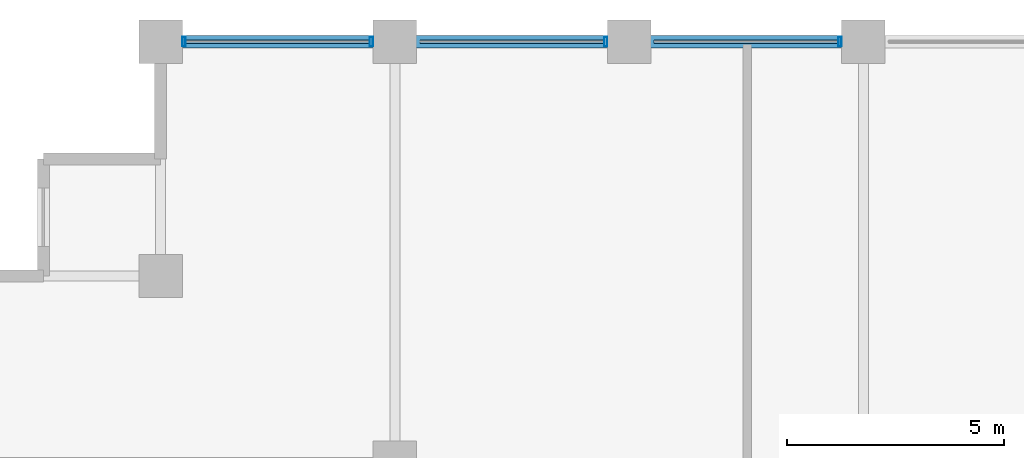
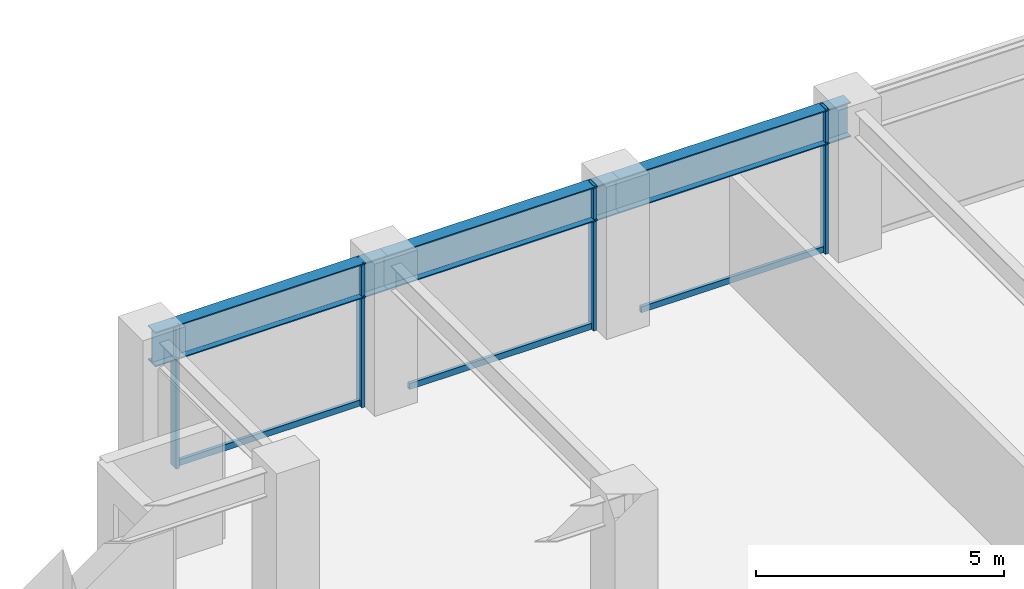
# One storey, part 12 of 25: 7 members, 3 beams, 1 element without a shape of its own.
"""IFC4 building model written with IfcOpenShell, lengths in metres."""

from ifc_helpers import new_model, si_unit, direction, frame, origin, origin_2d, place, context, subcontext, project, spatial, hollow_rectangle, i_section, extrude, material, layer, layer_set, material_profile, profile_set, type_object, element, aggregate, save


model = new_model("IFC4")

# Units and contexts
model_context = context("Model", 3, precision=1e-05, world=origin(), true_north=direction((0.0, 1.0)))
body_context = subcontext(model_context, "Body", "Model", "MODEL_VIEW")
ifc_project = project(units=[si_unit("LENGTHUNIT", "METRE"), si_unit("AREAUNIT", "SQUARE_METRE"), si_unit("VOLUMEUNIT", "CUBIC_METRE"), si_unit("PLANEANGLEUNIT", "RADIAN"), si_unit("MASSUNIT", "GRAM", prefix="KILO")], contexts=[model_context])

# Site, building, storey
site_placement = place(None, origin())
site = spatial("IfcSite", under=ifc_project, at=site_placement, CompositionType="ELEMENT")
building_placement = place(site_placement, origin())
building = spatial("IfcBuilding", under=site, at=building_placement, Name="Surkhivell Harbour Commons", CompositionType="ELEMENT")
storey_placement = place(building_placement, frame((0.0, 0.0, 139.5)))
storey = spatial("IfcBuildingStorey", under=building, at=storey_placement, Name="L36", CompositionType="ELEMENT", Elevation=139.5)

# Beams
ifc_material_1 = material(Name="Steel S460", Category="steel")
ifc_material_profile_1 = material_profile(ifc_material_1, i_section(OverallWidth=0.2939453125, OverallDepth=0.85107421875, WebThickness=0.01611328125, FlangeThickness=0.02685546875, at=origin_2d()), Name="UB838x292x226")
ifc_profile_set_1 = profile_set([ifc_material_profile_1], Name="Steel S460")
beam_type = type_object("IfcBeamType", Name="BM-SPN-838", PredefinedType="SPANDREL", material=ifc_profile_set_1)
beam_1_placement = place(storey_placement, frame((-27.0, 25.89990234375, 3.14453125), z_axis=(1.0, 0.0, 0.0), x_axis=(0.0, 1.0, 0.0)))
element("IfcBeam", 1, at=beam_1_placement, inside=storey, type_object=beam_type, Name="L36 Tube Spandrel (-27.0,25.9)", PredefinedType="SPANDREL", context=body_context, shape_type="SweptSolid", body=[
    extrude(i_section(OverallWidth=0.2939453125, OverallDepth=0.85107421875, WebThickness=0.01611328125, FlangeThickness=0.02685546875, at=origin_2d()), origin(), (0.0, 0.0, 1.0), 5.39990234375),
])
beam_2_placement = place(storey_placement, frame((-21.60009765625, 25.89990234375, 3.14453125), z_axis=(1.0, 0.0, 0.0), x_axis=(0.0, 1.0, 0.0)))
element("IfcBeam", 2, at=beam_2_placement, inside=storey, type_object=beam_type, Name="L36 Tube Spandrel (-21.6,25.9)", PredefinedType="SPANDREL", context=body_context, shape_type="SweptSolid", body=[
    extrude(i_section(OverallWidth=0.2939453125, OverallDepth=0.85107421875, WebThickness=0.01611328125, FlangeThickness=0.02685546875, at=origin_2d()), origin(), (0.0, 0.0, 1.0), 5.400146484375),
])
beam_3_placement = place(storey_placement, frame((-16.199951171875, 25.89990234375, 3.14453125), z_axis=(1.0, 0.0, 0.0), x_axis=(0.0, 1.0, 0.0)))
element("IfcBeam", 3, at=beam_3_placement, inside=storey, type_object=beam_type, Name="L36 Tube Spandrel (-16.2,25.9)", PredefinedType="SPANDREL", context=body_context, shape_type="SweptSolid", body=[
    extrude(i_section(OverallWidth=0.2939453125, OverallDepth=0.85107421875, WebThickness=0.01611328125, FlangeThickness=0.02685546875, at=origin_2d()), origin(), (0.0, 0.0, 1.0), 5.39990234375),
])

# Curtain wall, members
ifc_material_2 = material(Name="Anodised pale-metal aluminium and insulated glazing", Category="aluminium")
ifc_layer = layer(ifc_material_2, 0.205078125)
ifc_layer_set = layer_set([ifc_layer], Name="Anodised pale-metal aluminium and insulated glazing")
curtain_wall_type = type_object("IfcCurtainWallType", Name="CW-SYS-Z2", PredefinedType="NOTDEFINED", material=ifc_layer_set)
curtain_wall_placement = place(storey_placement, origin())
curtain_wall = element("IfcCurtainWall", 4, at=curtain_wall_placement, inside=storey, type_object=curtain_wall_type, Name="L36 Curtain Wall CW-L36-E07S2", PredefinedType="NOTDEFINED")
ifc_material_3 = material(Name="Anodised pale-metal aluminium alloy 6063-T6", Category="aluminium")
ifc_material_profile_2 = material_profile(ifc_material_3, hollow_rectangle(XDim=0.074951171875, YDim=0.219970703125, WallThickness=0.00390625, at=origin_2d()), Name="ALU-MULL-75x220")
ifc_profile_set_2 = profile_set([ifc_material_profile_2], Name="Anodised pale-metal aluminium alloy 6063-T6")
member_type_1 = type_object("IfcMemberType", Name="CWM-220", PredefinedType="MULLION", material=ifc_profile_set_2)
member_1_placement = place(storey_placement, frame((-11.339599609375, 25.89990234375, 0.0), z_axis=(0.0, 0.0, 1.0), x_axis=(-1.0, 0.0, 0.0)))
member_1 = element("IfcMember", 5, at=member_1_placement, type_object=member_type_1, Name="CW-Z2 mullion 2", PredefinedType="MULLION", context=body_context, shape_type="SweptSolid", body=[
    extrude(hollow_rectangle(XDim=0.074951171875, YDim=0.219970703125, WallThickness=0.00390625, at=origin_2d()), origin(), (0.0, 0.0, 1.0), 3.570068359375),
])
member_2_placement = place(storey_placement, frame((-16.739501953125, 25.89990234375, 0.0), z_axis=(0.0, 0.0, 1.0), x_axis=(-1.0, 0.0, 0.0)))
member_2 = element("IfcMember", 6, at=member_2_placement, type_object=member_type_1, Name="CW-Z2 mullion 3", PredefinedType="MULLION", context=body_context, shape_type="SweptSolid", body=[
    extrude(hollow_rectangle(XDim=0.074951171875, YDim=0.219970703125, WallThickness=0.00390625, at=origin_2d()), origin(), (0.0, 0.0, 1.0), 3.570068359375),
])
member_3_placement = place(storey_placement, frame((-22.139404296875, 25.89990234375, 0.0), z_axis=(0.0, 0.0, 1.0), x_axis=(-1.0, 0.0, 0.0)))
member_3 = element("IfcMember", 7, at=member_3_placement, type_object=member_type_1, Name="CW-Z2 mullion 4", PredefinedType="MULLION", context=body_context, shape_type="SweptSolid", body=[
    extrude(hollow_rectangle(XDim=0.074951171875, YDim=0.219970703125, WallThickness=0.00390625, at=origin_2d()), origin(), (0.0, 0.0, 1.0), 3.570068359375),
])
member_4_placement = place(storey_placement, frame((-26.46044921875, 25.89990234375, 0.0), z_axis=(0.0, 0.0, 1.0), x_axis=(-1.0, 0.0, 0.0)))
member_4 = element("IfcMember", 8, at=member_4_placement, type_object=member_type_1, Name="CW-Z2 mullion 5", PredefinedType="MULLION", context=body_context, shape_type="SweptSolid", body=[
    extrude(hollow_rectangle(XDim=0.074951171875, YDim=0.219970703125, WallThickness=0.00390625, at=origin_2d()), origin(), (0.0, 0.0, 1.0), 3.570068359375),
])
ifc_material_profile_3 = material_profile(ifc_material_3, hollow_rectangle(XDim=0.074951171875, YDim=0.14990234375, WallThickness=0.00341796875, at=origin_2d()), Name="ALU-TRAN-75x150")
ifc_profile_set_3 = profile_set([ifc_material_profile_3], Name="Anodised pale-metal aluminium alloy 6063-T6")
member_type_2 = type_object("IfcMemberType", Name="CWT-150", PredefinedType="USERDEFINED", material=ifc_profile_set_3)
member_5_placement = place(storey_placement, frame((-11.376953125, 25.89990234375, 0.074951171875), z_axis=(-1.0, 0.0, 0.0), x_axis=(0.0, -1.0, 0.0)))
member_5 = element("IfcMember", 9, at=member_5_placement, type_object=member_type_2, Name="CW-Z2 transom 2.1", ObjectType="TRANSOM", PredefinedType="USERDEFINED", context=body_context, shape_type="SweptSolid", body=[
    extrude(hollow_rectangle(XDim=0.074951171875, YDim=0.14990234375, WallThickness=0.00341796875, at=origin_2d()), origin(), (0.0, 0.0, 1.0), 4.24609375),
])
member_6_placement = place(storey_placement, frame((-16.777099609375, 25.89990234375, 0.074951171875), z_axis=(-1.0, 0.0, 0.0), x_axis=(0.0, -1.0, 0.0)))
member_6 = element("IfcMember", 10, at=member_6_placement, type_object=member_type_2, Name="CW-Z2 transom 3.1", ObjectType="TRANSOM", PredefinedType="USERDEFINED", context=body_context, shape_type="SweptSolid", body=[
    extrude(hollow_rectangle(XDim=0.074951171875, YDim=0.14990234375, WallThickness=0.00341796875, at=origin_2d()), origin(), (0.0, 0.0, 1.0), 4.245849609375),
])
member_7_placement = place(storey_placement, frame((-22.177001953125, 25.89990234375, 0.074951171875), z_axis=(-1.0, 0.0, 0.0), x_axis=(0.0, -1.0, 0.0)))
member_7 = element("IfcMember", 11, at=member_7_placement, type_object=member_type_2, Name="CW-Z2 transom 4.1", ObjectType="TRANSOM", PredefinedType="USERDEFINED", context=body_context, shape_type="SweptSolid", body=[
    extrude(hollow_rectangle(XDim=0.074951171875, YDim=0.14990234375, WallThickness=0.00341796875, at=origin_2d()), origin(), (0.0, 0.0, 1.0), 4.24609375),
])
aggregate(curtain_wall, [member_1, member_5, member_2, member_6, member_3, member_4, member_7])

save(model, "model.ifc")
